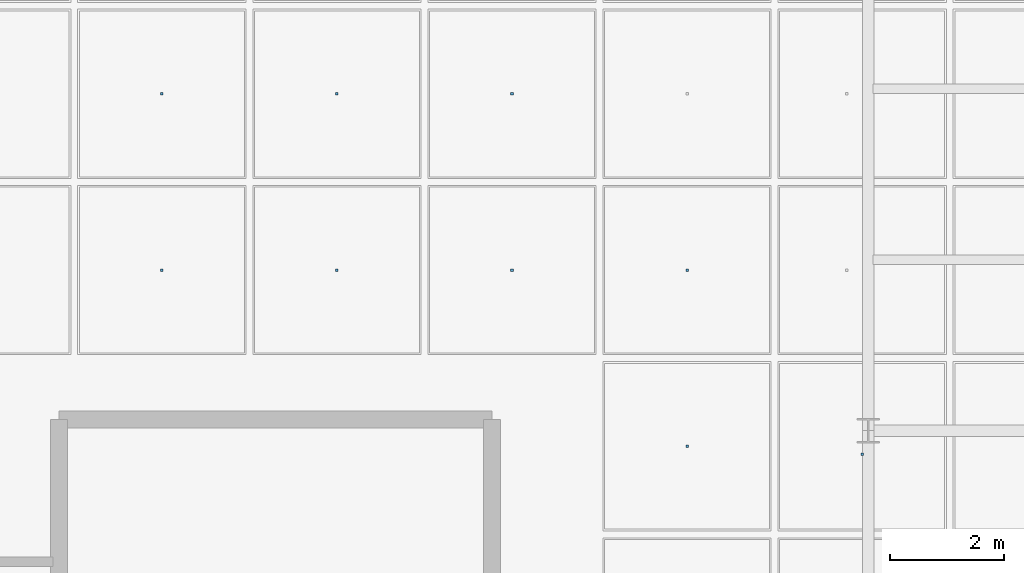
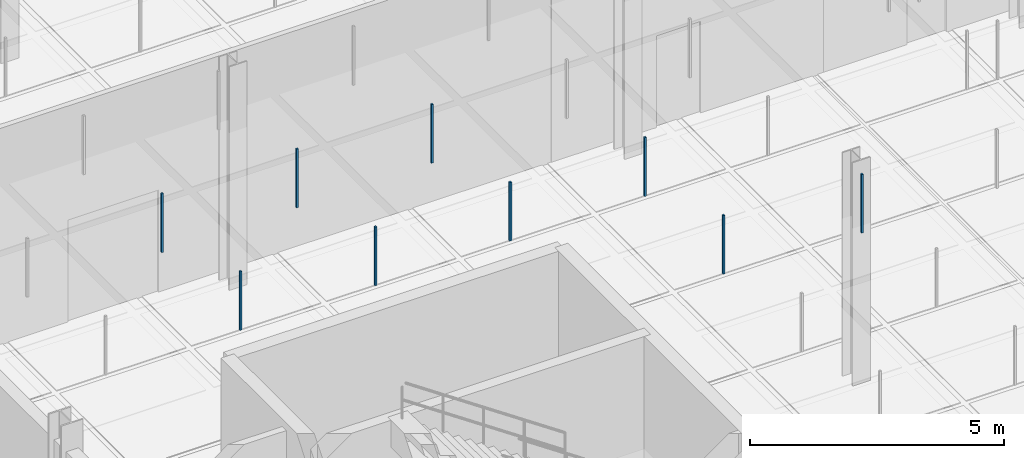
# One storey, part 109 of 180: 9 discrete accessories.
"""IFC4 building model written with IfcOpenShell, lengths in metres."""

from ifc_helpers import new_model, si_unit, direction, frame, origin, origin_2d, place, context, subcontext, project, spatial, rectangle, extrude, material, type_object, element, save


model = new_model("IFC4")

# Units and contexts
model_context = context("Model", 3, precision=1e-05, world=origin(), true_north=direction((0.0, 1.0)))
body_context = subcontext(model_context, "Body", "Model", "MODEL_VIEW")
ifc_project = project(units=[si_unit("LENGTHUNIT", "METRE"), si_unit("AREAUNIT", "SQUARE_METRE"), si_unit("VOLUMEUNIT", "CUBIC_METRE"), si_unit("PLANEANGLEUNIT", "RADIAN"), si_unit("MASSUNIT", "GRAM", prefix="KILO"), si_unit("THERMODYNAMICTEMPERATUREUNIT", "KELVIN"), si_unit("POWERUNIT", "WATT")], contexts=[model_context])

# Site, building, storey
site_placement = place(None, origin())
site = spatial("IfcSite", under=ifc_project, at=site_placement, CompositionType="ELEMENT")
building_placement = place(site_placement, origin())
building = spatial("IfcBuilding", under=site, at=building_placement, Name="Tallowbark Science Centre", CompositionType="ELEMENT")
storey_placement = place(building_placement, origin())
storey = spatial("IfcBuildingStorey", under=building, at=storey_placement, Name="L00", CompositionType="ELEMENT", Elevation=0.0)

# Discrete accessories
ifc_material = material(Name="Galvanised Steel Grade C350L0 (350 MPa)", Category="steel")
discrete_accessory_type = type_object("IfcDiscreteAccessoryType", Name="ACC-CLG-HNG", PredefinedType="BRACKET", material=ifc_material)
for number, where, z_axis, x_axis, name in (
    (1, (64.107177734375, 16.318115234375, 3.8095703125), (0.0, 0.0, 1.0), (1.0, 0.0, 0.0), "Ceiling Hanger Bracket L00-83"),
    (2, (64.107177734375, 19.4091796875, 3.8095703125), (0.0, 0.0, 1.0), (1.0, 0.0, 0.0), "Ceiling Hanger Bracket L00-84"),
    (3, (67.1787109375, 16.318115234375, 3.8095703125), (0.0, 0.0, 1.0), (1.0, 0.0, 0.0), "Ceiling Hanger Bracket L00-91"),
    (4, (67.1787109375, 19.4091796875, 3.8095703125), (0.0, 0.0, 1.0), (1.0, 0.0, 0.0), "Ceiling Hanger Bracket L00-92"),
    (5, (70.25, 16.318115234375, 3.8095703125), (0.0, 0.0, 1.0), (1.0, 0.0, 0.0), "Ceiling Hanger Bracket L00-99"),
    (6, (70.25, 19.4091796875, 3.8095703125), (0.0, 0.0, 1.0), (1.0, 0.0, 0.0), "Ceiling Hanger Bracket L00-100"),
    (7, (73.3212890625, 13.227294921875, 3.8095703125), (0.0, 0.0, 1.0), (1.0, 0.0, 0.0), "Ceiling Hanger Bracket L00-109"),
    (8, (73.3212890625, 16.318115234375, 3.8095703125), (0.0, 0.0, 1.0), (1.0, 0.0, 0.0), "Ceiling Hanger Bracket L00-110"),
    (9, (76.392822265625, 13.0859375, 3.8095703125), (0.0, 0.0, 1.0), (1.0, 0.0, 0.0), "Ceiling Hanger Bracket L00-120"),
):
    element("IfcDiscreteAccessory", number, at=place(storey_placement, frame(where, z_axis=z_axis, x_axis=x_axis)), inside=storey, type_object=discrete_accessory_type, Name=name, PredefinedType="BRACKET", context=body_context, shape_type="SweptSolid", body=[
        extrude(rectangle(XDim=0.044921875, YDim=0.044921875, at=origin_2d()), origin(), (0.0, 0.0, 1.0), 1.41357421875),
    ])

save(model, "model.ifc")
